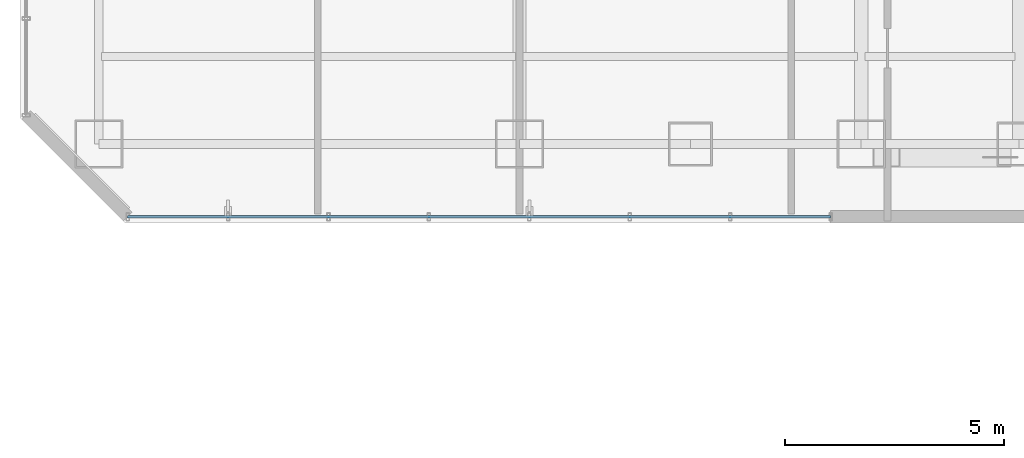
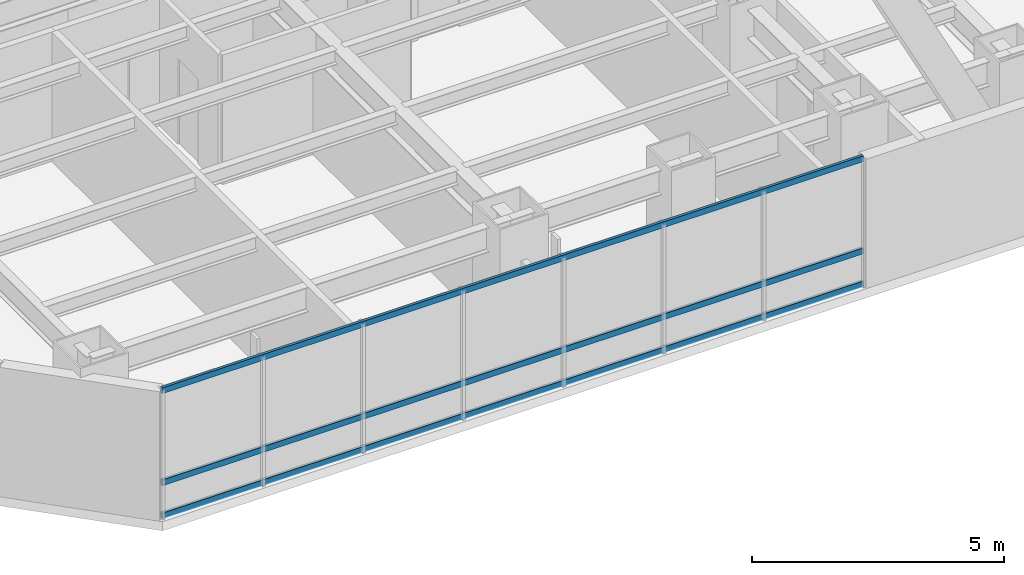
# One storey, part 3 of 32: 3 members, 1 element without a shape of its own.
"""IFC4 building model written with IfcOpenShell, lengths in metres."""

from ifc_helpers import new_model, si_unit, direction, frame, origin, origin_2d, place, context, subcontext, project, spatial, hollow_rectangle, extrude, material, layer, layer_set, material_profile, profile_set, type_object, element, aggregate, save


model = new_model("IFC4")

# Units and contexts
model_context = context("Model", 3, precision=1e-05, world=origin(), true_north=direction((0.0, 1.0)))
body_context = subcontext(model_context, "Body", "Model", "MODEL_VIEW")
ifc_project = project(units=[si_unit("LENGTHUNIT", "METRE"), si_unit("AREAUNIT", "SQUARE_METRE"), si_unit("VOLUMEUNIT", "CUBIC_METRE"), si_unit("PLANEANGLEUNIT", "RADIAN"), si_unit("MASSUNIT", "GRAM", prefix="KILO")], contexts=[model_context])

# Site, building, storey
site_placement = place(None, origin())
site = spatial("IfcSite", under=ifc_project, at=site_placement, CompositionType="ELEMENT")
building_placement = place(site_placement, origin())
building = spatial("IfcBuilding", under=site, at=building_placement, Name="Hatsunagi Terrace Concourse", CompositionType="ELEMENT")
storey_placement = place(building_placement, frame((0.0, 0.0, 36.60009765625)))
storey = spatial("IfcBuildingStorey", under=building, at=storey_placement, Name="L08", CompositionType="ELEMENT", Elevation=36.60009765625)

# Curtain wall, members
ifc_material_1 = material(Name="Anodised Aluminium Alloy 6063-T5", Category="aluminium")
ifc_layer = layer(ifc_material_1, 0.199951171875)
ifc_layer_set = layer_set([ifc_layer], Name="HotelFacade_CW02")
curtain_wall_type = type_object("IfcCurtainWallType", Name="HotelFacade_CW02", PredefinedType="NOTDEFINED", material=ifc_layer_set)
curtain_wall_placement = place(storey_placement, origin())
curtain_wall = element("IfcCurtainWall", 1, at=curtain_wall_placement, inside=storey, type_object=curtain_wall_type, Name="Unitised Curtain Wall CW-02 CW-L08-07", PredefinedType="NOTDEFINED")
ifc_material_2 = material(Name="Anodised Aluminium Alloy 6063-T5", Category="aluminium")
ifc_material_profile = material_profile(ifc_material_2, hollow_rectangle(XDim=0.06494140625, YDim=0.139892578125, WallThickness=0.00390625, at=origin_2d()), Name="ALU-TRN-140x65x4")
ifc_profile_set = profile_set([ifc_material_profile], Name="Anodised Aluminium Alloy 6063-T5")
member_type = type_object("IfcMemberType", Name="CurtainWallTransom_140x65", PredefinedType="USERDEFINED", material=ifc_profile_set)
member_1_placement = place(storey_placement, frame((18.5, 23.5400390625, 0.0498046875), z_axis=(-1.0, 0.0, 0.0), x_axis=(0.0, -1.0, 0.0)))
member_1 = element("IfcMember", 2, at=member_1_placement, type_object=member_type, Name="Curtain Wall Transom TRN-02", ObjectType="TRANSOM", PredefinedType="USERDEFINED", context=body_context, shape_type="SweptSolid", body=[
    extrude(hollow_rectangle(XDim=0.06494140625, YDim=0.139892578125, WallThickness=0.00390625, at=origin_2d()), origin(), (0.0, 0.0, 1.0), 16.0419921875),
])
member_2_placement = place(storey_placement, frame((18.5, 23.5400390625, 0.849853515625), z_axis=(-1.0, 0.0, 0.0), x_axis=(0.0, -1.0, 0.0)))
member_2 = element("IfcMember", 3, at=member_2_placement, type_object=member_type, Name="Curtain Wall Transom TRN-02", ObjectType="TRANSOM", PredefinedType="USERDEFINED", context=body_context, shape_type="SweptSolid", body=[
    extrude(hollow_rectangle(XDim=0.06494140625, YDim=0.139892578125, WallThickness=0.00390625, at=origin_2d()), origin(), (0.0, 0.0, 1.0), 16.0419921875),
])
member_3_placement = place(storey_placement, frame((18.5, 23.5400390625, 3.079833984375), z_axis=(-1.0, 0.0, 0.0), x_axis=(0.0, -1.0, 0.0)))
member_3 = element("IfcMember", 4, at=member_3_placement, type_object=member_type, Name="Curtain Wall Transom TRN-02", ObjectType="TRANSOM", PredefinedType="USERDEFINED", context=body_context, shape_type="SweptSolid", body=[
    extrude(hollow_rectangle(XDim=0.06494140625, YDim=0.139892578125, WallThickness=0.00390625, at=origin_2d()), origin(), (0.0, 0.0, 1.0), 16.0419921875),
])
aggregate(curtain_wall, [member_1, member_2, member_3])

save(model, "model.ifc")
